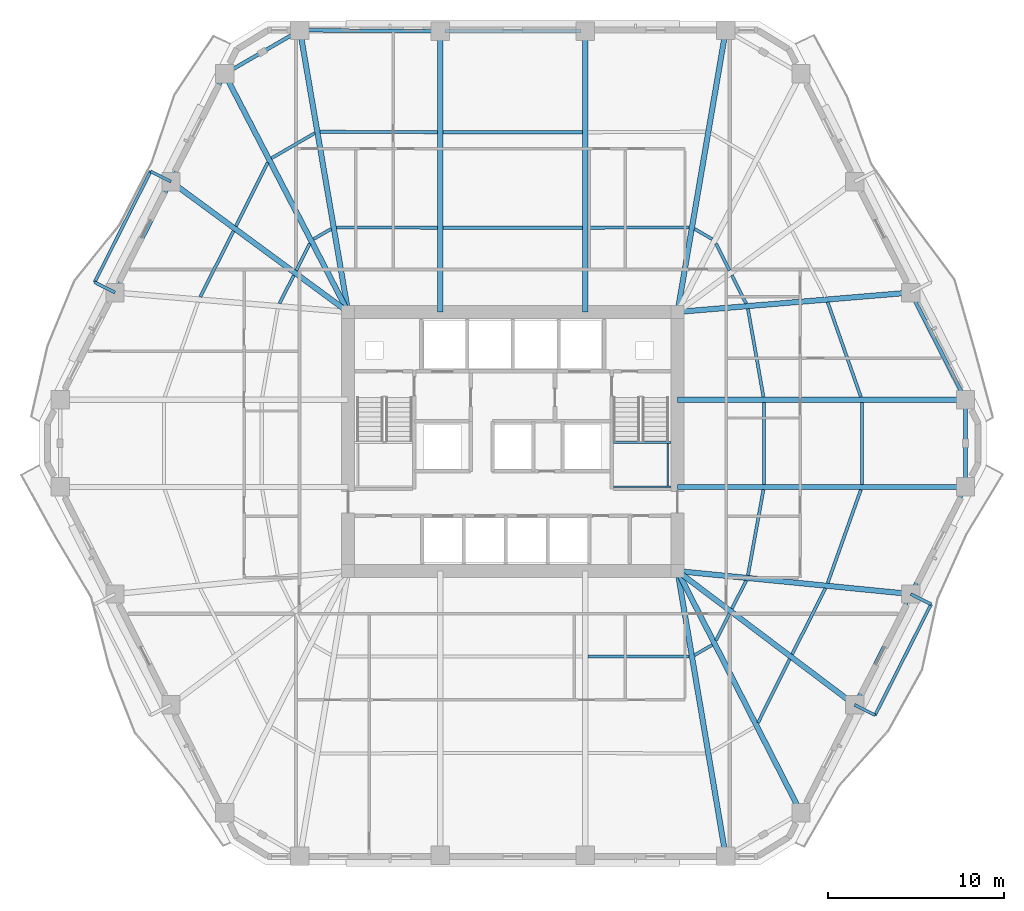
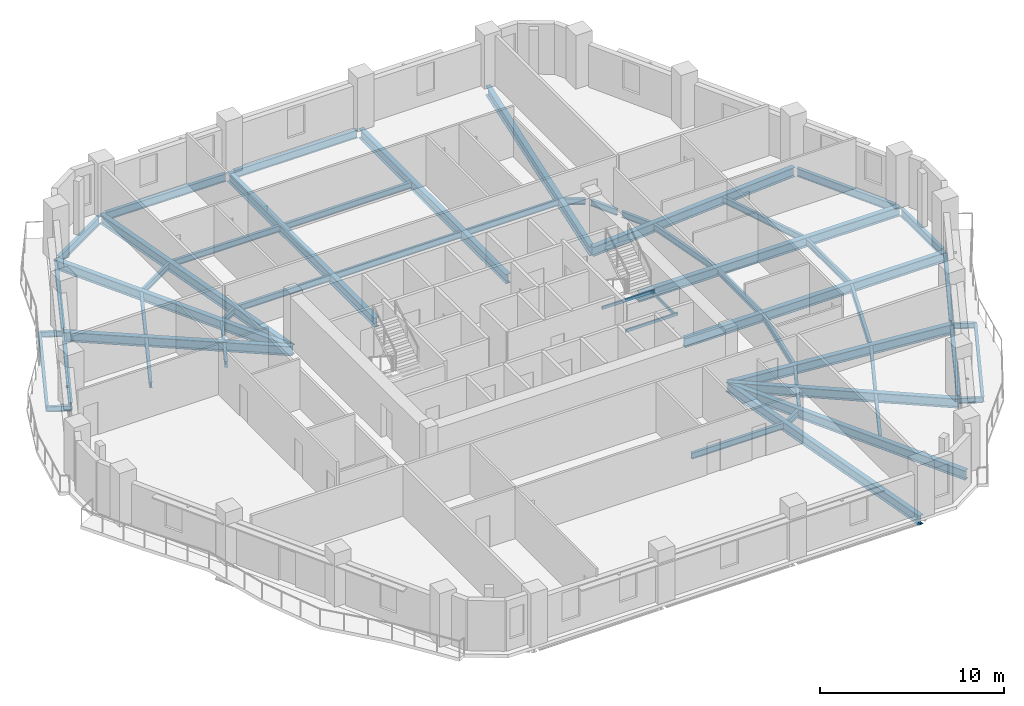
# One storey, part 2 of 13: 57 beams.
"""IFC4 building model written with IfcOpenShell, lengths in metres."""

from ifc_helpers import new_model, si_unit, direction, frame, origin, origin_2d, place, context, subcontext, project, spatial, hollow_rectangle, i_section, extrude, material, material_profile, profile_set, type_object, element, save


model = new_model("IFC4")

# Units and contexts
model_context = context("Model", 3, precision=1e-05, world=origin(), true_north=direction((0.0, 1.0)))
body_context = subcontext(model_context, "Body", "Model", "MODEL_VIEW")
ifc_project = project(units=[si_unit("LENGTHUNIT", "METRE"), si_unit("AREAUNIT", "SQUARE_METRE"), si_unit("VOLUMEUNIT", "CUBIC_METRE"), si_unit("PLANEANGLEUNIT", "RADIAN"), si_unit("MASSUNIT", "GRAM", prefix="KILO")], contexts=[model_context])

# Site, building, storey
site_placement = place(None, origin())
site = spatial("IfcSite", under=ifc_project, at=site_placement, CompositionType="ELEMENT")
building_placement = place(site_placement, origin())
building = spatial("IfcBuilding", under=site, at=building_placement, Name="Cinnabar Lancet Tower", CompositionType="ELEMENT")
storey_placement = place(building_placement, frame((0.0, 0.0, 83.550048828125)))
storey = spatial("IfcBuildingStorey", under=building, at=storey_placement, Name="L21", CompositionType="ELEMENT", Elevation=83.550048828125)

# Beams
ifc_material_1 = material(Name="Structural steel S355", Category="steel")
ifc_material_profile_1 = material_profile(ifc_material_1, i_section(OverallWidth=0.177978515625, OverallDepth=0.406494140625, WebThickness=0.0078125, FlangeThickness=0.0126953125, FilletRadius=0.01025390625, at=origin_2d()), Name="UKB 406x178x60")
ifc_profile_set_1 = profile_set([ifc_material_profile_1], Name="Structural steel S355")
beam_type_1 = type_object("IfcBeamType", Name="STR-BM-JST-406", PredefinedType="JOIST", material=ifc_profile_set_1)
beam_1_placement = place(storey_placement, frame((36.676025390625, 13.669921875, -0.423095703125), z_axis=(0.999996664369, -0.002582876594, 0.0), x_axis=(0.002582876594, 0.999996664369, 0.0)))
element("IfcBeam", 1, at=beam_1_placement, inside=storey, type_object=beam_type_1, Name="L21 Secondary Floor Joist 14", PredefinedType="JOIST", context=body_context, shape_type="SweptSolid", body=[
    extrude(i_section(OverallWidth=0.177978515625, OverallDepth=0.406494140625, WebThickness=0.0078125, FlangeThickness=0.0126953125, FilletRadius=0.01025390625, at=origin_2d()), origin(), (0.0, 0.0, 1.0), 5.765869140625),
])
beam_2_placement = place(storey_placement, frame((42.739013671875, 13.736083984375, -0.423095703125), z_axis=(0.865192550274, 0.50143977799, 0.0), x_axis=(-0.50143977799, 0.865192550274, 0.0)))
element("IfcBeam", 2, at=beam_2_placement, inside=storey, type_object=beam_type_1, Name="L21 Secondary Floor Joist 16", PredefinedType="JOIST", context=body_context, shape_type="SweptSolid", body=[
    extrude(i_section(OverallWidth=0.177978515625, OverallDepth=0.406494140625, WebThickness=0.0078125, FlangeThickness=0.0126953125, FilletRadius=0.01025390625, at=origin_2d()), origin(), (0.0, 0.0, 1.0), 1.16845703125),
])
beam_3_placement = place(storey_placement, frame((46.35791015625, 9.89501953125, -0.423095703125), z_axis=(0.445835127839, 0.895115098065, 0.0), x_axis=(-0.895115098065, 0.445835127839, 0.0)))
element("IfcBeam", 3, at=beam_3_placement, inside=storey, type_object=beam_type_1, Name="L21 Secondary Floor Joist 17", PredefinedType="JOIST", context=body_context, shape_type="SweptSolid", body=[
    extrude(i_section(OverallWidth=0.177978515625, OverallDepth=0.406494140625, WebThickness=0.0078125, FlangeThickness=0.0126953125, FilletRadius=0.01025390625, at=origin_2d()), origin(), (0.0, 0.0, 1.0), 4.03955078125),
])
beam_4_placement = place(storey_placement, frame((43.968994140625, 14.570068359375, -0.423095703125), z_axis=(0.44578468599, 0.895140220154, 0.0), x_axis=(-0.895140220154, 0.44578468599, 0.0)))
element("IfcBeam", 4, at=beam_4_placement, inside=storey, type_object=beam_type_1, Name="L21 Secondary Floor Joist 18", PredefinedType="JOIST", context=body_context, shape_type="SweptSolid", body=[
    extrude(i_section(OverallWidth=0.177978515625, OverallDepth=0.406494140625, WebThickness=0.0078125, FlangeThickness=0.0126953125, FilletRadius=0.01025390625, at=origin_2d()), origin(), (0.0, 0.0, 1.0), 1.709228515625),
])
beam_5_placement = place(storey_placement, frame((48.299072265625, 13.7900390625, -0.423095703125), z_axis=(0.45074077851, 0.89265488885, 0.0), x_axis=(-0.89265488885, 0.45074077851, 0.0)))
element("IfcBeam", 5, at=beam_5_placement, inside=storey, type_object=beam_type_1, Name="L21 Secondary Floor Joist 19", PredefinedType="JOIST", context=body_context, shape_type="SweptSolid", body=[
    extrude(i_section(OverallWidth=0.177978515625, OverallDepth=0.406494140625, WebThickness=0.0078125, FlangeThickness=0.0126953125, FilletRadius=0.01025390625, at=origin_2d()), origin(), (0.0, 0.0, 1.0), 4.204345703125),
])
beam_6_placement = place(storey_placement, frame((44.87109375, 16.37890625, -0.423095703125), z_axis=(0.450193420622, 0.892931063425, 0.0), x_axis=(-0.892931063425, 0.450193420622, 0.0)))
element("IfcBeam", 6, at=beam_6_placement, inside=storey, type_object=beam_type_1, Name="L21 Secondary Floor Joist 20", PredefinedType="JOIST", context=body_context, shape_type="SweptSolid", body=[
    extrude(i_section(OverallWidth=0.177978515625, OverallDepth=0.406494140625, WebThickness=0.0078125, FlangeThickness=0.0126953125, FilletRadius=0.01025390625, at=origin_2d()), origin(), (0.0, 0.0, 1.0), 1.801025390625),
])
beam_7_placement = place(storey_placement, frame((50.321044921875, 17.839111328125, -0.423095703125), z_axis=(0.334856984646, 0.942268963637, 0.0), x_axis=(-0.942268963637, 0.334856984646, 0.0)))
element("IfcBeam", 7, at=beam_7_placement, inside=storey, type_object=beam_type_1, Name="L21 Secondary Floor Joist 21", PredefinedType="JOIST", context=body_context, shape_type="SweptSolid", body=[
    extrude(i_section(OverallWidth=0.177978515625, OverallDepth=0.406494140625, WebThickness=0.0078125, FlangeThickness=0.0126953125, FilletRadius=0.01025390625, at=origin_2d()), origin(), (0.0, 0.0, 1.0), 5.646728515625),
])
beam_8_placement = place(storey_placement, frame((45.783935546875, 18.284912109375, -0.423095703125), z_axis=(0.177857522222, 0.984056249301, 0.0), x_axis=(-0.984056249301, 0.177857522222, 0.0)))
element("IfcBeam", 8, at=beam_8_placement, inside=storey, type_object=beam_type_1, Name="L21 Secondary Floor Joist 22", PredefinedType="JOIST", context=body_context, shape_type="SweptSolid", body=[
    extrude(i_section(OverallWidth=0.177978515625, OverallDepth=0.406494140625, WebThickness=0.0078125, FlangeThickness=0.0126953125, FilletRadius=0.01025390625, at=origin_2d()), origin(), (0.0, 0.0, 1.0), 4.9541015625),
])
for number, where, z_axis, x_axis, name in (
    (9, (52.26708984375, 23.468017578125, -0.423095703125), (0.0, 1.0, 0.0), (-1.0, 0.0, 0.0), "L21 Secondary Floor Joist 23"),
    (10, (46.693115234375, 23.468017578125, -0.423095703125), (0.0, 1.0, 0.0), (-1.0, 0.0, 0.0), "L21 Secondary Floor Joist 24"),
):
    element("IfcBeam", number, at=place(storey_placement, frame(where, z_axis=z_axis, x_axis=x_axis)), inside=storey, type_object=beam_type_1, Name=name, PredefinedType="JOIST", context=body_context, shape_type="SweptSolid", body=[
        extrude(i_section(OverallWidth=0.177978515625, OverallDepth=0.406494140625, WebThickness=0.0078125, FlangeThickness=0.0126953125, FilletRadius=0.01025390625, at=origin_2d()), origin(), (0.0, 0.0, 1.0), 4.6640625),
    ])
beam_9_placement = place(storey_placement, frame((52.212890625, 28.43994140625, -0.423095703125), z_axis=(-0.331069693644, 0.943606304531, 0.0), x_axis=(-0.943606304531, -0.331069693644, 0.0)))
element("IfcBeam", 11, at=beam_9_placement, inside=storey, type_object=beam_type_1, Name="L21 Secondary Floor Joist 25", PredefinedType="JOIST", context=body_context, shape_type="SweptSolid", body=[
    extrude(i_section(OverallWidth=0.177978515625, OverallDepth=0.406494140625, WebThickness=0.0078125, FlangeThickness=0.0126953125, FilletRadius=0.01025390625, at=origin_2d()), origin(), (0.0, 0.0, 1.0), 5.71435546875),
])
beam_10_placement = place(storey_placement, frame((46.666015625, 28.43994140625, -0.423095703125), z_axis=(-0.173410624156, 0.984849610565, 0.0), x_axis=(-0.984849610565, -0.173410624156, 0.0)))
element("IfcBeam", 12, at=beam_10_placement, inside=storey, type_object=beam_type_1, Name="L21 Secondary Floor Joist 26", PredefinedType="JOIST", context=body_context, shape_type="SweptSolid", body=[
    extrude(i_section(OverallWidth=0.177978515625, OverallDepth=0.406494140625, WebThickness=0.0078125, FlangeThickness=0.0126953125, FilletRadius=0.01025390625, at=origin_2d()), origin(), (0.0, 0.0, 1.0), 5.09228515625),
])
beam_11_placement = place(storey_placement, frame((45.681884765625, 33.75390625, -0.423095703125), z_axis=(-0.450843773183, 0.892602874845, 0.0), x_axis=(-0.892602874845, -0.450843773183, 0.0)))
element("IfcBeam", 13, at=beam_11_placement, inside=storey, type_object=beam_type_1, Name="L21 Secondary Floor Joist 28", PredefinedType="JOIST", context=body_context, shape_type="SweptSolid", body=[
    extrude(i_section(OverallWidth=0.177978515625, OverallDepth=0.406494140625, WebThickness=0.0078125, FlangeThickness=0.0126953125, FilletRadius=0.01025390625, at=origin_2d()), origin(), (0.0, 0.0, 1.0), 1.800537109375),
])
beam_12_placement = place(storey_placement, frame((44.73095703125, 35.638916015625, -0.423095703125), z_axis=(-0.446014307296, 0.895025830737, 0.0), x_axis=(-0.895025830737, -0.446014307296, 0.0)))
element("IfcBeam", 14, at=beam_12_placement, inside=storey, type_object=beam_type_1, Name="L21 Secondary Floor Joist 30", PredefinedType="JOIST", context=body_context, shape_type="SweptSolid", body=[
    extrude(i_section(OverallWidth=0.177978515625, OverallDepth=0.406494140625, WebThickness=0.0078125, FlangeThickness=0.0126953125, FilletRadius=0.01025390625, at=origin_2d()), origin(), (0.0, 0.0, 1.0), 1.710693359375),
])
beam_13_placement = place(storey_placement, frame((43.75, 37.41796875, -0.423095703125), z_axis=(-0.865192550274, 0.50143977799, 0.0), x_axis=(-0.50143977799, -0.865192550274, 0.0)))
element("IfcBeam", 15, at=beam_13_placement, inside=storey, type_object=beam_type_1, Name="L21 Secondary Floor Joist 32", PredefinedType="JOIST", context=body_context, shape_type="SweptSolid", body=[
    extrude(i_section(OverallWidth=0.177978515625, OverallDepth=0.406494140625, WebThickness=0.0078125, FlangeThickness=0.0126953125, FilletRadius=0.01025390625, at=origin_2d()), origin(), (0.0, 0.0, 1.0), 1.16845703125),
])
beam_14_placement = place(storey_placement, frame((42.44189453125, 38.0849609375, -0.423095703125), z_axis=(-0.999996664369, -0.002582876594, 0.0), x_axis=(0.002582876594, -0.999996664369, 0.0)))
element("IfcBeam", 16, at=beam_14_placement, inside=storey, type_object=beam_type_1, Name="L21 Secondary Floor Joist 34", PredefinedType="JOIST", context=body_context, shape_type="SweptSolid", body=[
    extrude(i_section(OverallWidth=0.177978515625, OverallDepth=0.406494140625, WebThickness=0.0078125, FlangeThickness=0.0126953125, FilletRadius=0.01025390625, at=origin_2d()), origin(), (0.0, 0.0, 1.0), 5.765869140625),
])
for number, where, z_axis, x_axis, name in (
    (17, (36.367919921875, 43.50390625, -0.423095703125), (-1.0, 0.0, 0.0), (0.0, -1.0, 0.0), "L21 Secondary Floor Joist 35"),
    (18, (36.367919921875, 38.070068359375, -0.423095703125), (-1.0, 0.0, 0.0), (0.0, -1.0, 0.0), "L21 Secondary Floor Joist 36"),
):
    element("IfcBeam", number, at=place(storey_placement, frame(where, z_axis=z_axis, x_axis=x_axis)), inside=storey, type_object=beam_type_1, Name=name, PredefinedType="JOIST", context=body_context, shape_type="SweptSolid", body=[
        extrude(i_section(OverallWidth=0.177978515625, OverallDepth=0.406494140625, WebThickness=0.0078125, FlangeThickness=0.0126953125, FilletRadius=0.01025390625, at=origin_2d()), origin(), (0.0, 0.0, 1.0), 7.93603515625),
    ])
beam_15_placement = place(storey_placement, frame((28.1240234375, 43.5048828125, -0.423095703125), z_axis=(-0.999988425549, 0.004811316646, 0.0), x_axis=(-0.004811316646, -0.999988425549, 0.0)))
element("IfcBeam", 19, at=beam_15_placement, inside=storey, type_object=beam_type_1, Name="L21 Secondary Floor Joist 37", PredefinedType="JOIST", context=body_context, shape_type="SweptSolid", body=[
    extrude(i_section(OverallWidth=0.177978515625, OverallDepth=0.406494140625, WebThickness=0.0078125, FlangeThickness=0.0126953125, FilletRadius=0.01025390625, at=origin_2d()), origin(), (0.0, 0.0, 1.0), 6.697998046875),
])
beam_16_placement = place(storey_placement, frame((28.1240234375, 38.070068359375, -0.423095703125), z_axis=(-0.999996664651, 0.002582767234, 0.0), x_axis=(-0.002582767234, -0.999996664651, 0.0)))
element("IfcBeam", 20, at=beam_16_placement, inside=storey, type_object=beam_type_1, Name="L21 Secondary Floor Joist 38", PredefinedType="JOIST", context=body_context, shape_type="SweptSolid", body=[
    extrude(i_section(OverallWidth=0.177978515625, OverallDepth=0.406494140625, WebThickness=0.0078125, FlangeThickness=0.0126953125, FilletRadius=0.01025390625, at=origin_2d()), origin(), (0.0, 0.0, 1.0), 5.76611328125),
])
beam_17_placement = place(storey_placement, frame((21.1279296875, 43.4560546875, -0.423095703125), z_axis=(-0.865076496111, -0.501639966387, 0.0), x_axis=(0.501639966387, -0.865076496111, 0.0)))
element("IfcBeam", 21, at=beam_17_placement, inside=storey, type_object=beam_type_1, Name="L21 Secondary Floor Joist 39", PredefinedType="JOIST", context=body_context, shape_type="SweptSolid", body=[
    extrude(i_section(OverallWidth=0.177978515625, OverallDepth=0.406494140625, WebThickness=0.0078125, FlangeThickness=0.0126953125, FilletRadius=0.01025390625, at=origin_2d()), origin(), (0.0, 0.0, 1.0), 2.85302734375),
])
beam_18_placement = place(storey_placement, frame((22.06103515625, 38.00390625, -0.423095703125), z_axis=(-0.865192550274, -0.50143977799, 0.0), x_axis=(0.50143977799, -0.865192550274, 0.0)))
element("IfcBeam", 22, at=beam_18_placement, inside=storey, type_object=beam_type_1, Name="L21 Secondary Floor Joist 40", PredefinedType="JOIST", context=body_context, shape_type="SweptSolid", body=[
    extrude(i_section(OverallWidth=0.177978515625, OverallDepth=0.406494140625, WebThickness=0.0078125, FlangeThickness=0.0126953125, FilletRadius=0.01025390625, at=origin_2d()), origin(), (0.0, 0.0, 1.0), 1.16845703125),
])
beam_19_placement = place(storey_placement, frame((18.44189453125, 41.778076171875, -0.423095703125), z_axis=(-0.445666146216, -0.895199243809, 0.0), x_axis=(0.895199243809, -0.445666146216, 0.0)))
element("IfcBeam", 23, at=beam_19_placement, inside=storey, type_object=beam_type_1, Name="L21 Secondary Floor Joist 41", PredefinedType="JOIST", context=body_context, shape_type="SweptSolid", body=[
    extrude(i_section(OverallWidth=0.177978515625, OverallDepth=0.406494140625, WebThickness=0.0078125, FlangeThickness=0.0126953125, FilletRadius=0.01025390625, at=origin_2d()), origin(), (0.0, 0.0, 1.0), 4.040771484375),
])
beam_20_placement = place(storey_placement, frame((20.83203125, 37.169921875, -0.423095703125), z_axis=(-0.446014307296, -0.895025830737, 0.0), x_axis=(0.895025830737, -0.446014307296, 0.0)))
element("IfcBeam", 24, at=beam_20_placement, inside=storey, type_object=beam_type_1, Name="L21 Secondary Floor Joist 42", PredefinedType="JOIST", context=body_context, shape_type="SweptSolid", body=[
    extrude(i_section(OverallWidth=0.177978515625, OverallDepth=0.406494140625, WebThickness=0.0078125, FlangeThickness=0.0126953125, FilletRadius=0.01025390625, at=origin_2d()), origin(), (0.0, 0.0, 1.0), 1.710693359375),
])
beam_21_placement = place(storey_placement, frame((16.5009765625, 37.882080078125, -0.423095703125), z_axis=(-0.450810882677, -0.892619486713, 0.0), x_axis=(0.892619486713, -0.450810882677, 0.0)))
element("IfcBeam", 25, at=beam_21_placement, inside=storey, type_object=beam_type_1, Name="L21 Secondary Floor Joist 43", PredefinedType="JOIST", context=body_context, shape_type="SweptSolid", body=[
    extrude(i_section(OverallWidth=0.177978515625, OverallDepth=0.406494140625, WebThickness=0.0078125, FlangeThickness=0.0126953125, FilletRadius=0.01025390625, at=origin_2d()), origin(), (0.0, 0.0, 1.0), 4.20361328125),
])
beam_22_placement = place(storey_placement, frame((19.929931640625, 35.361083984375, -0.423095703125), z_axis=(-0.450951794921, -0.892548306064, 0.0), x_axis=(0.892548306064, -0.450951794921, 0.0)))
element("IfcBeam", 26, at=beam_22_placement, inside=storey, type_object=beam_type_1, Name="L21 Secondary Floor Joist 44", PredefinedType="JOIST", context=body_context, shape_type="SweptSolid", body=[
    extrude(i_section(OverallWidth=0.177978515625, OverallDepth=0.406494140625, WebThickness=0.0078125, FlangeThickness=0.0126953125, FilletRadius=0.01025390625, at=origin_2d()), origin(), (0.0, 0.0, 1.0), 1.80078125),
])
ifc_material_2 = material(Name="Structural steel S355", Category="steel")
ifc_material_profile_2 = material_profile(ifc_material_2, hollow_rectangle(XDim=0.10009765625, YDim=0.199951171875, WallThickness=0.008056640625, InnerFilletRadius=0.00390625, OuterFilletRadius=0.011962890625, at=origin_2d()), Name="RHS 200x100x8")
ifc_profile_set_2 = profile_set([ifc_material_profile_2], Name="Structural steel S355")
beam_type_2 = type_object("IfcBeamType", Name="STR-BM-LND-203", PredefinedType="BEAM", material=ifc_profile_set_2)
for number, where, z_axis, x_axis, name in (
    (27, (38.1201171875, 23.330078125, 1.474853515625), (1.0, 0.0, 0.0), (0.0, 1.0, 0.0), "L21 ST-2-L21 Landing Support Beam S"),
    (28, (38.1201171875, 25.844970703125, 1.474853515625), (1.0, 0.0, 0.0), (0.0, 1.0, 0.0), "L21 ST-2-L21 Landing Support Beam N"),
):
    element("IfcBeam", number, at=place(storey_placement, frame(where, z_axis=z_axis, x_axis=x_axis)), inside=storey, type_object=beam_type_2, Name=name, PredefinedType="BEAM", context=body_context, shape_type="SweptSolid", body=[
        extrude(hollow_rectangle(XDim=0.10009765625, YDim=0.199951171875, WallThickness=0.008056640625, InnerFilletRadius=0.00390625, OuterFilletRadius=0.011962890625, at=origin_2d()), origin(), (0.0, 0.0, 1.0), 3.27978515625),
    ])
beam_23_placement = place(storey_placement, frame((41.219970703125, 23.3798828125, 1.474853515625), z_axis=(0.0, 1.0, 0.0), x_axis=(-1.0, 0.0, 0.0)))
element("IfcBeam", 29, at=beam_23_placement, inside=storey, type_object=beam_type_2, Name="L21 ST-2-L21 Landing Side Trimmer Beam", PredefinedType="BEAM", context=body_context, shape_type="SweptSolid", body=[
    extrude(hollow_rectangle(XDim=0.10009765625, YDim=0.199951171875, WallThickness=0.008056640625, InnerFilletRadius=0.00390625, OuterFilletRadius=0.011962890625, at=origin_2d()), origin(), (0.0, 0.0, 1.0), 2.4150390625),
])
ifc_material_3 = material(Name="Structural steel S355", Category="steel")
ifc_material_profile_3 = material_profile(ifc_material_3, i_section(OverallWidth=0.209228515625, OverallDepth=0.533203125, WebThickness=0.010009765625, FlangeThickness=0.015625, FilletRadius=0.0126953125, at=origin_2d()), Name="UKB 533x210x92")
ifc_profile_set_3 = profile_set([ifc_material_profile_3], Name="Structural steel S355")
beam_type_3 = type_object("IfcBeamType", Name="STR-BM-SPN-533", PredefinedType="SPANDREL", material=ifc_profile_set_3)
beam_24_placement = place(storey_placement, frame((51.971923828125, 11.132080078125, -0.487060546875), z_axis=(0.450703143926, 0.892673891214, 0.0), x_axis=(-0.892673891214, 0.450703143926, 0.0)))
element("IfcBeam", 30, at=beam_24_placement, inside=storey, type_object=beam_type_3, Name="L21 Perimeter Spandrel 6", PredefinedType="SPANDREL", context=body_context, shape_type="SweptSolid", body=[
    extrude(i_section(OverallWidth=0.209228515625, OverallDepth=0.533203125, WebThickness=0.010009765625, FlangeThickness=0.015625, FilletRadius=0.0126953125, at=origin_2d()), origin(), (0.0, 0.0, 1.0), 6.570068359375),
])
beam_25_placement = place(storey_placement, frame((55.159912109375, 17.443115234375, -0.487060546875), z_axis=(0.456024522632, 0.889967209934, 0.0), x_axis=(-0.889967209934, 0.456024522632, 0.0)))
element("IfcBeam", 31, at=beam_25_placement, inside=storey, type_object=beam_type_3, Name="L21 Perimeter Spandrel 7", PredefinedType="SPANDREL", context=body_context, shape_type="SweptSolid", body=[
    extrude(i_section(OverallWidth=0.209228515625, OverallDepth=0.533203125, WebThickness=0.010009765625, FlangeThickness=0.015625, FilletRadius=0.0126953125, at=origin_2d()), origin(), (0.0, 0.0, 1.0), 6.34619140625),
])
beam_26_placement = place(storey_placement, frame((58.16796875, 23.56396484375, -0.487060546875), z_axis=(0.0, 1.0, 0.0), x_axis=(-1.0, 0.0, 0.0)))
element("IfcBeam", 32, at=beam_26_placement, inside=storey, type_object=beam_type_3, Name="L21 Perimeter Spandrel 8", PredefinedType="SPANDREL", context=body_context, shape_type="SweptSolid", body=[
    extrude(i_section(OverallWidth=0.209228515625, OverallDepth=0.533203125, WebThickness=0.010009765625, FlangeThickness=0.015625, FilletRadius=0.0126953125, at=origin_2d()), origin(), (0.0, 0.0, 1.0), 4.471923828125),
])
beam_27_placement = place(storey_placement, frame((58.053955078125, 28.509033203125, -0.487060546875), z_axis=(-0.456024522632, 0.889967209934, 0.0), x_axis=(-0.889967209934, -0.456024522632, 0.0)))
element("IfcBeam", 33, at=beam_27_placement, inside=storey, type_object=beam_type_3, Name="L21 Perimeter Spandrel 9", PredefinedType="SPANDREL", context=body_context, shape_type="SweptSolid", body=[
    extrude(i_section(OverallWidth=0.209228515625, OverallDepth=0.533203125, WebThickness=0.010009765625, FlangeThickness=0.015625, FilletRadius=0.0126953125, at=origin_2d()), origin(), (0.0, 0.0, 1.0), 6.34619140625),
])
beam_28_placement = place(storey_placement, frame((36.27197265625, 49.258056640625, -0.487060546875), z_axis=(-1.0, 0.0, 0.0), x_axis=(0.0, -1.0, 0.0)))
element("IfcBeam", 34, at=beam_28_placement, inside=storey, type_object=beam_type_3, Name="L21 Perimeter Spandrel 14", PredefinedType="SPANDREL", context=body_context, shape_type="SweptSolid", body=[
    extrude(i_section(OverallWidth=0.209228515625, OverallDepth=0.533203125, WebThickness=0.010009765625, FlangeThickness=0.015625, FilletRadius=0.0126953125, at=origin_2d()), origin(), (0.0, 0.0, 1.0), 7.743896484375),
])
beam_29_placement = place(storey_placement, frame((28.028076171875, 49.260009765625, -0.487060546875), z_axis=(-0.99997856757, 0.006547090947, 0.0), x_axis=(-0.006547090947, -0.99997856757, 0.0)))
element("IfcBeam", 35, at=beam_29_placement, inside=storey, type_object=beam_type_3, Name="L21 Perimeter Spandrel 15", PredefinedType="SPANDREL", context=body_context, shape_type="SweptSolid", body=[
    extrude(i_section(OverallWidth=0.209228515625, OverallDepth=0.533203125, WebThickness=0.010009765625, FlangeThickness=0.015625, FilletRadius=0.0126953125, at=origin_2d()), origin(), (0.0, 0.0, 1.0), 7.495361328125),
])
beam_30_placement = place(storey_placement, frame((20.06689453125, 49.18603515625, -0.487060546875), z_axis=(-0.865147238596, -0.501517951374, 0.0), x_axis=(0.501517951374, -0.865147238596, 0.0)))
element("IfcBeam", 36, at=beam_30_placement, inside=storey, type_object=beam_type_3, Name="L21 Perimeter Spandrel 16", PredefinedType="SPANDREL", context=body_context, shape_type="SweptSolid", body=[
    extrude(i_section(OverallWidth=0.209228515625, OverallDepth=0.533203125, WebThickness=0.010009765625, FlangeThickness=0.015625, FilletRadius=0.0126953125, at=origin_2d()), origin(), (0.0, 0.0, 1.0), 4.454833984375),
])
beam_31_placement = place(storey_placement, frame((15.885986328125, 46.60302734375, -0.487060546875), z_axis=(-0.445953050023, -0.89505635419, 0.0), x_axis=(0.89505635419, -0.445953050023, 0.0)))
element("IfcBeam", 37, at=beam_31_placement, inside=storey, type_object=beam_type_3, Name="L21 Perimeter Spandrel 17", PredefinedType="SPANDREL", context=body_context, shape_type="SweptSolid", body=[
    extrude(i_section(OverallWidth=0.209228515625, OverallDepth=0.533203125, WebThickness=0.010009765625, FlangeThickness=0.015625, FilletRadius=0.0126953125, at=origin_2d()), origin(), (0.0, 0.0, 1.0), 6.35498046875),
])
beam_32_placement = place(storey_placement, frame((12.827880859375, 40.468017578125, -0.487060546875), z_axis=(-0.450673532306, -0.892688841242, 0.0), x_axis=(0.892688841242, -0.450673532306, 0.0)))
element("IfcBeam", 38, at=beam_32_placement, inside=storey, type_object=beam_type_3, Name="L21 Perimeter Spandrel 18", PredefinedType="SPANDREL", context=body_context, shape_type="SweptSolid", body=[
    extrude(i_section(OverallWidth=0.209228515625, OverallDepth=0.533203125, WebThickness=0.010009765625, FlangeThickness=0.015625, FilletRadius=0.0126953125, at=origin_2d()), origin(), (0.0, 0.0, 1.0), 6.570068359375),
])
ifc_material_4 = material(Name="Structural steel S355", Category="steel")
ifc_material_profile_4 = material_profile(ifc_material_4, i_section(OverallWidth=0.30712890625, OverallDepth=0.6201171875, WebThickness=0.01416015625, FlangeThickness=0.023681640625, FilletRadius=0.0166015625, at=origin_2d()), Name="UKB 610x305x179")
ifc_profile_set_4 = profile_set([ifc_material_profile_4], Name="Structural steel S355")
beam_type_4 = type_object("IfcBeamType", Name="STR-BM-UKB610-179", PredefinedType="BEAM", material=ifc_profile_set_4)
beam_33_placement = place(storey_placement, frame((51.85888671875, 10.908935546875, -0.530029296875), z_axis=(-0.797983154837, 0.602679752933, 0.0), x_axis=(-0.602679752933, -0.797983154837, 0.0)))
element("IfcBeam", 39, at=beam_33_placement, inside=storey, type_object=beam_type_4, Name="L21 Corner Collector Girder 2", PredefinedType="BEAM", context=body_context, shape_type="SweptSolid", body=[
    extrude(i_section(OverallWidth=0.30712890625, OverallDepth=0.6201171875, WebThickness=0.01416015625, FlangeThickness=0.023681640625, FilletRadius=0.0166015625, at=origin_2d()), origin(), (0.0, 0.0, 1.0), 12.63671875),
])
beam_34_placement = place(storey_placement, frame((12.94091796875, 40.69091796875, -0.530029296875), z_axis=(0.805600633978, -0.592458959367, 0.0), x_axis=(0.592458959367, 0.805600633978, 0.0)))
element("IfcBeam", 40, at=beam_34_placement, inside=storey, type_object=beam_type_4, Name="L21 Corner Collector Girder 4", PredefinedType="BEAM", context=body_context, shape_type="SweptSolid", body=[
    extrude(i_section(OverallWidth=0.30712890625, OverallDepth=0.6201171875, WebThickness=0.01416015625, FlangeThickness=0.023681640625, FilletRadius=0.0166015625, at=origin_2d()), origin(), (0.0, 0.0, 1.0), 12.517333984375),
])
beam_35_placement = place(storey_placement, frame((44.51708984375, 2.2890625, -0.530029296875), z_axis=(-0.166538518453, 0.98603494962, 0.0), x_axis=(-0.98603494962, -0.166538518453, 0.0)))
element("IfcBeam", 41, at=beam_35_placement, inside=storey, type_object=beam_type_4, Name="L21 Primary Floor Girder 4", PredefinedType="BEAM", context=body_context, shape_type="SweptSolid", body=[
    extrude(i_section(OverallWidth=0.30712890625, OverallDepth=0.6201171875, WebThickness=0.01416015625, FlangeThickness=0.023681640625, FilletRadius=0.0166015625, at=origin_2d()), origin(), (0.0, 0.0, 1.0), 16.4658203125),
])
beam_36_placement = place(storey_placement, frame((48.802978515625, 4.77294921875, -0.530029296875), z_axis=(-0.455075128525, 0.89045304615, 0.0), x_axis=(-0.89045304615, -0.455075128525, 0.0)))
element("IfcBeam", 42, at=beam_36_placement, inside=storey, type_object=beam_type_4, Name="L21 Primary Floor Girder 5", PredefinedType="BEAM", context=body_context, shape_type="SweptSolid", body=[
    extrude(i_section(OverallWidth=0.30712890625, OverallDepth=0.6201171875, WebThickness=0.01416015625, FlangeThickness=0.023681640625, FilletRadius=0.0166015625, at=origin_2d()), origin(), (0.0, 0.0, 1.0), 15.44384765625),
])
beam_37_placement = place(storey_placement, frame((55.0458984375, 17.219970703125, -0.530029296875), z_axis=(-0.995200421983, 0.097857652149, 0.0), x_axis=(-0.097857652149, -0.995200421983, 0.0)))
element("IfcBeam", 43, at=beam_37_placement, inside=storey, type_object=beam_type_4, Name="L21 Primary Floor Girder 7", PredefinedType="BEAM", context=body_context, shape_type="SweptSolid", body=[
    extrude(i_section(OverallWidth=0.30712890625, OverallDepth=0.6201171875, WebThickness=0.01416015625, FlangeThickness=0.023681640625, FilletRadius=0.0166015625, at=origin_2d()), origin(), (0.0, 0.0, 1.0), 13.3349609375),
])
for number, where, z_axis, x_axis, name in (
    (44, (58.16796875, 23.31396484375, -0.530029296875), (-1.0, 0.0, 0.0), (0.0, -1.0, 0.0), "L21 Primary Floor Girder 8"),
    (45, (58.16796875, 28.285888671875, -0.530029296875), (-1.0, 0.0, 0.0), (0.0, -1.0, 0.0), "L21 Primary Floor Girder 9"),
):
    element("IfcBeam", number, at=place(storey_placement, frame(where, z_axis=z_axis, x_axis=x_axis)), inside=storey, type_object=beam_type_4, Name=name, PredefinedType="BEAM", context=body_context, shape_type="SweptSolid", body=[
        extrude(i_section(OverallWidth=0.30712890625, OverallDepth=0.6201171875, WebThickness=0.01416015625, FlangeThickness=0.023681640625, FilletRadius=0.0166015625, at=origin_2d()), origin(), (0.0, 0.0, 1.0), 16.39306640625),
    ])
beam_38_placement = place(storey_placement, frame((55.0458984375, 34.3798828125, -0.530029296875), z_axis=(-0.996551571824, -0.08297568737, 0.0), x_axis=(0.08297568737, -0.996551571824, 0.0)))
element("IfcBeam", 46, at=beam_38_placement, inside=storey, type_object=beam_type_4, Name="L21 Primary Floor Girder 10", PredefinedType="BEAM", context=body_context, shape_type="SweptSolid", body=[
    extrude(i_section(OverallWidth=0.30712890625, OverallDepth=0.6201171875, WebThickness=0.01416015625, FlangeThickness=0.023681640625, FilletRadius=0.0166015625, at=origin_2d()), origin(), (0.0, 0.0, 1.0), 13.31689453125),
])
beam_39_placement = place(storey_placement, frame((44.51708984375, 49.31103515625, -0.530029296875), z_axis=(-0.168553945835, -0.985692430398, 0.0), x_axis=(0.985692430398, -0.168553945835, 0.0)))
element("IfcBeam", 47, at=beam_39_placement, inside=storey, type_object=beam_type_4, Name="L21 Primary Floor Girder 13", PredefinedType="BEAM", context=body_context, shape_type="SweptSolid", body=[
    extrude(i_section(OverallWidth=0.30712890625, OverallDepth=0.6201171875, WebThickness=0.01416015625, FlangeThickness=0.023681640625, FilletRadius=0.0166015625, at=origin_2d()), origin(), (0.0, 0.0, 1.0), 16.268798828125),
])
for number, where, z_axis, x_axis, name in (
    (48, (36.52197265625, 49.258056640625, -0.530029296875), (0.0, -1.0, 0.0), (1.0, 0.0, 0.0), "L21 Primary Floor Girder 14"),
    (49, (28.278076171875, 49.258056640625, -0.530029296875), (0.0, -1.0, 0.0), (1.0, 0.0, 0.0), "L21 Primary Floor Girder 15"),
):
    element("IfcBeam", number, at=place(storey_placement, frame(where, z_axis=z_axis, x_axis=x_axis)), inside=storey, type_object=beam_type_4, Name=name, PredefinedType="BEAM", context=body_context, shape_type="SweptSolid", body=[
        extrude(i_section(OverallWidth=0.30712890625, OverallDepth=0.6201171875, WebThickness=0.01416015625, FlangeThickness=0.023681640625, FilletRadius=0.0166015625, at=origin_2d()), origin(), (0.0, 0.0, 1.0), 15.983154296875),
    ])
beam_40_placement = place(storey_placement, frame((20.282958984375, 49.31103515625, -0.530029296875), z_axis=(0.16853936554, -0.985694923525, 0.0), x_axis=(0.985694923525, 0.16853936554, 0.0)))
element("IfcBeam", 50, at=beam_40_placement, inside=storey, type_object=beam_type_4, Name="L21 Primary Floor Girder 16", PredefinedType="BEAM", context=body_context, shape_type="SweptSolid", body=[
    extrude(i_section(OverallWidth=0.30712890625, OverallDepth=0.6201171875, WebThickness=0.01416015625, FlangeThickness=0.023681640625, FilletRadius=0.0166015625, at=origin_2d()), origin(), (0.0, 0.0, 1.0), 16.268798828125),
])
beam_41_placement = place(storey_placement, frame((15.9970703125, 46.826904296875, -0.530029296875), z_axis=(0.460361977629, -0.887731293553, 0.0), x_axis=(0.887731293553, 0.460361977629, 0.0)))
element("IfcBeam", 51, at=beam_41_placement, inside=storey, type_object=beam_type_4, Name="L21 Primary Floor Girder 17", PredefinedType="BEAM", context=body_context, shape_type="SweptSolid", body=[
    extrude(i_section(OverallWidth=0.30712890625, OverallDepth=0.6201171875, WebThickness=0.01416015625, FlangeThickness=0.023681640625, FilletRadius=0.0166015625, at=origin_2d()), origin(), (0.0, 0.0, 1.0), 15.265869140625),
])
ifc_material_5 = material(Name="Structural steel S355", Category="steel")
ifc_material_profile_5 = material_profile(ifc_material_5, i_section(OverallWidth=0.17138671875, OverallDepth=0.35498046875, WebThickness=0.00732421875, FlangeThickness=0.011474609375, FilletRadius=0.01025390625, at=origin_2d()), Name="UKB 356x171x51")
ifc_profile_set_5 = profile_set([ifc_material_profile_5], Name="Structural steel S355")
beam_type_5 = type_object("IfcBeamType", Name="STR-BM-WAV-OUT", PredefinedType="BEAM", material=ifc_profile_set_5)
for number, where, z_axis, x_axis, name in (
    (52, (51.85888671875, 10.908935546875, -0.39697265625), (0.892314203325, -0.451414845285, 0.0), (0.451414845285, 0.892314203325, 0.0), "L21 Face 2 Balcony Outlooker A"),
    (53, (55.0458984375, 17.219970703125, -0.39697265625), (0.892314203325, -0.451414845285, 0.0), (0.451414845285, 0.892314203325, 0.0), "L21 Face 2 Balcony Outlooker B"),
    (54, (12.94091796875, 40.69091796875, -0.39697265625), (-0.892200264127, 0.451639998995, 0.0), (-0.451639998995, -0.892200264127, 0.0), "L21 Face 5 Balcony Outlooker A"),
    (55, (9.75390625, 34.3798828125, -0.39697265625), (-0.892200264127, 0.451639998995, 0.0), (-0.451639998995, -0.892200264127, 0.0), "L21 Face 5 Balcony Outlooker B"),
):
    element("IfcBeam", number, at=place(storey_placement, frame(where, z_axis=z_axis, x_axis=x_axis)), inside=storey, type_object=beam_type_5, Name=name, PredefinedType="BEAM", context=body_context, shape_type="SweptSolid", body=[
        extrude(i_section(OverallWidth=0.17138671875, OverallDepth=0.35498046875, WebThickness=0.00732421875, FlangeThickness=0.011474609375, FilletRadius=0.01025390625, at=origin_2d()), origin(), (0.0, 0.0, 1.0), 1.300048828125),
    ])
ifc_material_6 = material(Name="Structural steel S355", Category="steel")
ifc_material_profile_6 = material_profile(ifc_material_6, i_section(OverallWidth=0.17138671875, OverallDepth=0.35498046875, WebThickness=0.00732421875, FlangeThickness=0.011474609375, FilletRadius=0.01025390625, at=origin_2d()), Name="UKB 356x171x51")
ifc_profile_set_6 = profile_set([ifc_material_profile_6], Name="Structural steel S355")
beam_type_6 = type_object("IfcBeamType", Name="STR-BM-WAV-TRIM", PredefinedType="SPANDREL", material=ifc_profile_set_6)
for number, where, z_axis, x_axis, name in (
    (56, (53.01904296875, 10.322021484375, -0.39697265625), (0.450773692627, 0.892638268301, 0.0), (-0.892638268301, 0.450773692627, 0.0), "L21 Face 2 Balcony Edge Trimmer"),
    (57, (11.781005859375, 41.278076171875, -0.39697265625), (-0.450773692627, -0.892638268301, 0.0), (0.892638268301, -0.450773692627, 0.0), "L21 Face 5 Balcony Edge Trimmer"),
):
    element("IfcBeam", number, at=place(storey_placement, frame(where, z_axis=z_axis, x_axis=x_axis)), inside=storey, type_object=beam_type_6, Name=name, PredefinedType="SPANDREL", context=body_context, shape_type="SweptSolid", body=[
        extrude(i_section(OverallWidth=0.17138671875, OverallDepth=0.35498046875, WebThickness=0.00732421875, FlangeThickness=0.011474609375, FilletRadius=0.01025390625, at=origin_2d()), origin(), (0.0, 0.0, 1.0), 7.070068359375),
    ])

save(model, "model.ifc")
